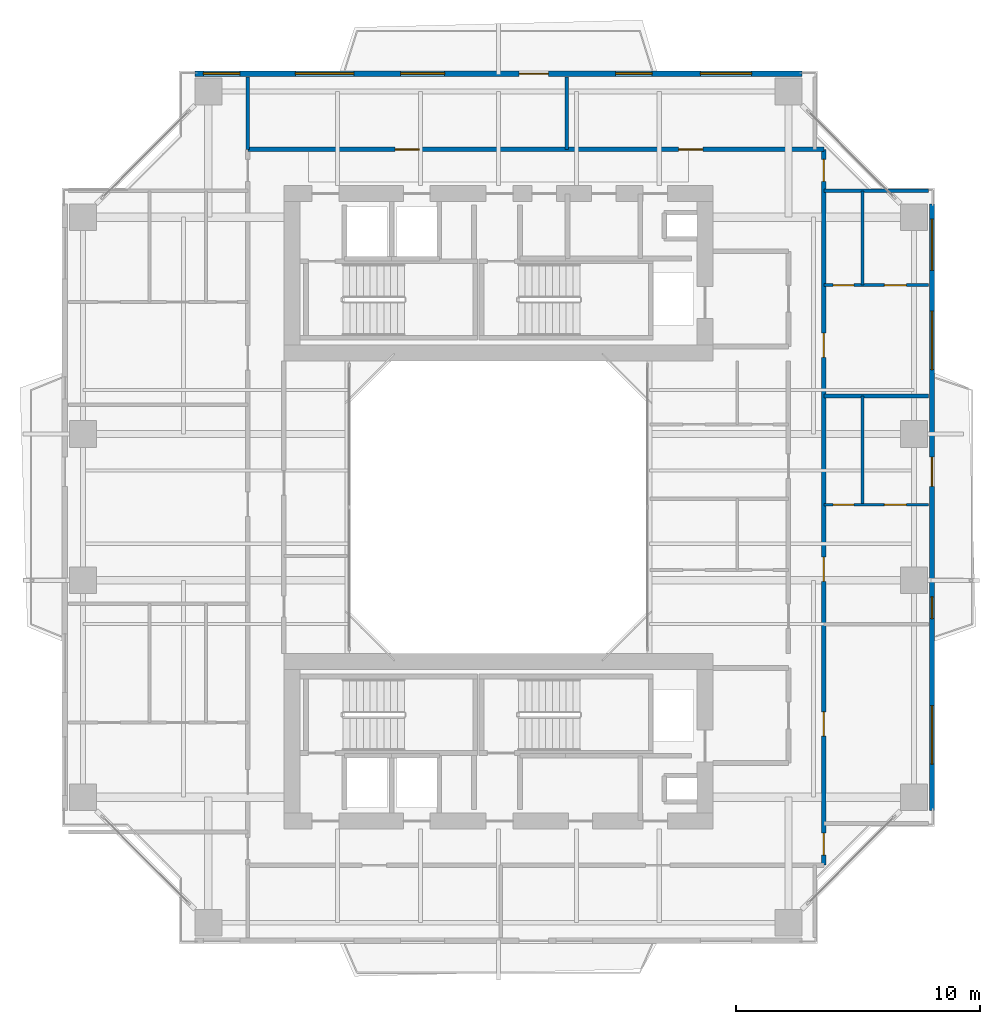
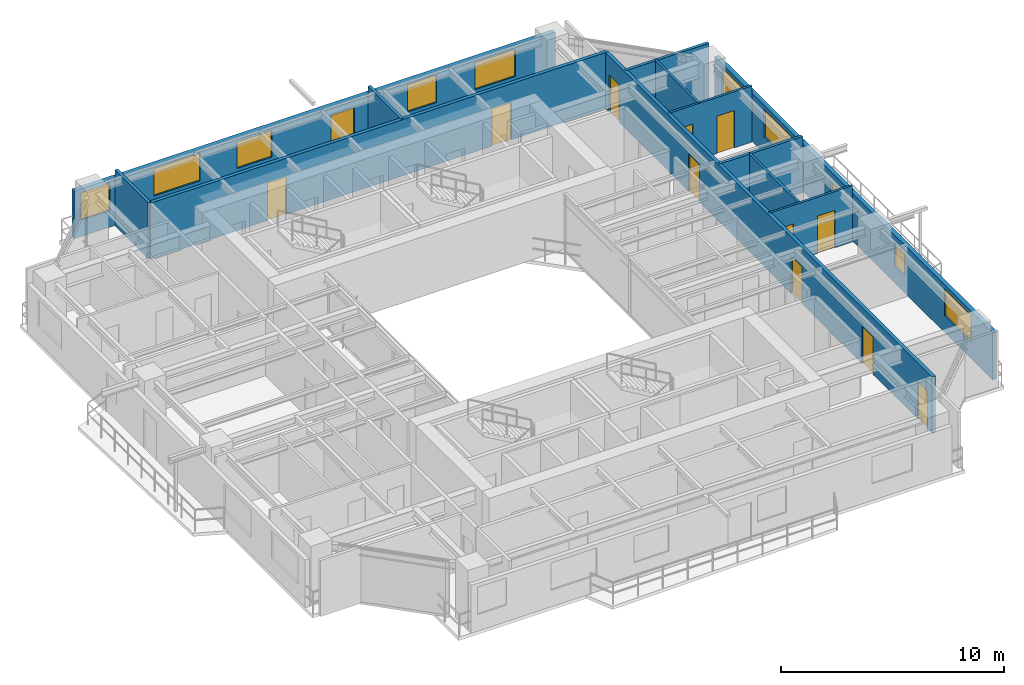
# One storey, part 13 of 17: 13 doors, 12 walls, 9 windows, 22 openings.
"""IFC4 building model written with IfcOpenShell, lengths in metres."""

from ifc_helpers import new_model, si_unit, direction, frame, frame_2d, origin, place, context, subcontext, project, spatial, rectangle, extrude, source, transform, mapped, material, layer, layer_set, type_object, element, fill, save


model = new_model("IFC4")

# Units and contexts
model_context = context("Model", 3, precision=1e-05, world=origin(), true_north=direction((0.0, 1.0)))
body_context = subcontext(model_context, "Body", "Model", "MODEL_VIEW")
ifc_project = project(units=[si_unit("LENGTHUNIT", "METRE"), si_unit("AREAUNIT", "SQUARE_METRE"), si_unit("VOLUMEUNIT", "CUBIC_METRE"), si_unit("PLANEANGLEUNIT", "RADIAN"), si_unit("MASSUNIT", "GRAM", prefix="KILO"), si_unit("THERMODYNAMICTEMPERATUREUNIT", "KELVIN"), si_unit("POWERUNIT", "WATT")], contexts=[model_context])

# Site, building, storey
site_placement = place(None, origin())
site = spatial("IfcSite", under=ifc_project, at=site_placement, CompositionType="ELEMENT")
building_placement = place(site_placement, origin())
building = spatial("IfcBuilding", under=site, at=building_placement, Name="Qiaomeng Ring Towers", CompositionType="ELEMENT")
storey_placement = place(building_placement, frame((0.0, 0.0, 126.25)))
storey = spatial("IfcBuildingStorey", under=building, at=storey_placement, Name="L36", CompositionType="ELEMENT", Elevation=126.25)

# Wall, openings, windows, door
ifc_material_1 = material(Name="Precast concrete C40", Category="concrete")
ifc_layer_1 = layer(ifc_material_1, 0.219970703125, Name="Precast concrete C40")
ifc_layer_set_1 = layer_set([ifc_layer_1], Name="Precast concrete C40")
wall_type_1 = type_object("IfcWallType", Name="ARC-WL-EW2", PredefinedType="STANDARD", material=ifc_layer_set_1)
wall_1_placement = place(storey_placement, frame((6.550048828125, 40.7900390625, 0.0), z_axis=(0.0, 0.0, 1.0), x_axis=(1.0, 0.0, 0.0)))
wall_1 = element("IfcWall", 1, at=wall_1_placement, inside=storey, type_object=wall_type_1, Name="L36 Tower 1 N Exterior Wall", PredefinedType="STANDARD", context=body_context, shape_type="SweptSolid", body=[
    extrude(rectangle(XDim=24.89990234375, YDim=0.219970703125, at=frame_2d((12.449951171875, 0.0))), origin(), (0.0, 0.0, 1.0), 2.610107421875),
])
opening_1_placement = place(wall_1_placement, frame((13.300048828125, 0.0, 0.0)))
opening_1 = element("IfcOpeningElement", 2, at=opening_1_placement, cuts=wall_1, Name="Opening BD1", PredefinedType="OPENING", context=body_context, shape_type="SweptSolid", body=[
    extrude(rectangle(XDim=1.199951171875, YDim=2.10009765625, at=frame_2d((0.60009765625, 1.050048828125))), frame((0.0, 0.119873046875, 0.0), z_axis=(0.0, -1.0, 0.0), x_axis=(1.0, 0.0, 0.0)), (0.0, 0.0, 1.0), 0.239990234375),
])
opening_2_placement = place(wall_1_placement, frame((0.342529296875, 0.0, 0.89990234375)))
opening_2 = element("IfcOpeningElement", 3, at=opening_2_placement, cuts=wall_1, Name="Opening WN2", PredefinedType="OPENING", context=body_context, shape_type="SweptSolid", body=[
    extrude(rectangle(XDim=1.5, YDim=1.5, at=frame_2d((0.75, 0.75))), frame((0.0, 0.119873046875, 0.0), z_axis=(0.0, -1.0, 0.0), x_axis=(1.0, 0.0, 0.0)), (0.0, 0.0, 1.0), 0.239990234375),
])
opening_3_placement = place(wall_1_placement, frame((8.43798828125, 0.0, 0.89990234375)))
opening_3 = element("IfcOpeningElement", 4, at=opening_3_placement, cuts=wall_1, Name="Opening WN1", PredefinedType="OPENING", context=body_context, shape_type="SweptSolid", body=[
    extrude(rectangle(XDim=1.800048828125, YDim=1.449951171875, at=frame_2d((0.89990234375, 0.72509765625))), frame((0.0, 0.119873046875, 0.0), z_axis=(0.0, -1.0, 0.0), x_axis=(1.0, 0.0, 0.0)), (0.0, 0.0, 1.0), 0.239990234375),
])
opening_4_placement = place(wall_1_placement, frame((17.261474609375, 0.0, 0.89990234375)))
opening_4 = element("IfcOpeningElement", 5, at=opening_4_placement, cuts=wall_1, Name="Opening WN2", PredefinedType="OPENING", context=body_context, shape_type="SweptSolid", body=[
    extrude(rectangle(XDim=1.5, YDim=1.5, at=frame_2d((0.75, 0.75))), frame((0.0, 0.119873046875, 0.0), z_axis=(0.0, -1.0, 0.0), x_axis=(1.0, 0.0, 0.0)), (0.0, 0.0, 1.0), 0.239990234375),
])
opening_5_placement = place(wall_1_placement, frame((20.738037109375, 0.0, 0.89990234375)))
opening_5 = element("IfcOpeningElement", 6, at=opening_5_placement, cuts=wall_1, Name="Opening WN4", PredefinedType="OPENING", context=body_context, shape_type="SweptSolid", body=[
    extrude(rectangle(XDim=2.10009765625, YDim=1.47998046875, at=frame_2d((1.050048828125, 0.739990234375))), frame((0.0, 0.119873046875, 0.0), z_axis=(0.0, -1.0, 0.0), x_axis=(1.0, 0.0, 0.0)), (0.0, 0.0, 1.0), 0.239990234375),
])
opening_6_placement = place(wall_1_placement, frame((4.12158203125, 0.0, 0.89990234375)))
opening_6 = element("IfcOpeningElement", 7, at=opening_6_placement, cuts=wall_1, Name="Opening WN6", PredefinedType="OPENING", context=body_context, shape_type="SweptSolid", body=[
    extrude(rectangle(XDim=2.39990234375, YDim=1.5, at=frame_2d((1.199951171875, 0.75))), frame((0.0, 0.119873046875, 0.0), z_axis=(0.0, -1.0, 0.0), x_axis=(1.0, 0.0, 0.0)), (0.0, 0.0, 1.0), 0.239990234375),
])
ifc_material_2 = material(Name="Low-E dark-grey laminated double glazing", Category="glass")
window_type_1 = type_object("IfcWindowType", Name="ARC-WN-4", PartitioningType="TRIPLE_PANEL_VERTICAL", PredefinedType="WINDOW", material=ifc_material_2)
shared_shape_1 = source(origin(), body_context, "Body", "SweptSolid", [
    extrude(rectangle(XDim=2.10009765625, YDim=1.47998046875, at=frame_2d((1.050048828125, 0.739990234375))), frame((0.0, 0.030029296875, 0.0), z_axis=(0.0, -1.0, 0.0), x_axis=(1.0, 0.0, 0.0)), (0.0, 0.0, 1.0), 0.06005859375),
])
window_1_placement = place(opening_5_placement, origin())
window_1 = element("IfcWindow", 8, at=window_1_placement, inside=storey, type_object=window_type_1, Name="L36 Exterior Window WN4", OverallHeight=1.47998046875, OverallWidth=2.10009765625, PartitioningType="TRIPLE_PANEL_VERTICAL", PredefinedType="WINDOW", context=body_context, shape_type="MappedRepresentation", body=[
    mapped(shared_shape_1, transform((0.0, 0.0, 0.0), x_axis=(1.0, 0.0, 0.0), y_axis=(0.0, 1.0, 0.0), z_axis=(0.0, 0.0, 1.0), scale=1.0)),
])
fill(opening_5, window_1)
window_type_2 = type_object("IfcWindowType", Name="ARC-WN-1", PartitioningType="DOUBLE_PANEL_VERTICAL", PredefinedType="WINDOW", material=ifc_material_2)
shared_shape_2 = source(origin(), body_context, "Body", "SweptSolid", [
    extrude(rectangle(XDim=1.800048828125, YDim=1.449951171875, at=frame_2d((0.89990234375, 0.72509765625))), frame((0.0, 0.030029296875, 0.0), z_axis=(0.0, -1.0, 0.0), x_axis=(1.0, 0.0, 0.0)), (0.0, 0.0, 1.0), 0.06005859375),
])
window_2_placement = place(opening_3_placement, origin())
window_2 = element("IfcWindow", 9, at=window_2_placement, inside=storey, type_object=window_type_2, Name="L36 Exterior Window WN1", OverallHeight=1.449951171875, OverallWidth=1.800048828125, PartitioningType="DOUBLE_PANEL_VERTICAL", PredefinedType="WINDOW", context=body_context, shape_type="MappedRepresentation", body=[
    mapped(shared_shape_2, transform((0.0, 0.0, 0.0), x_axis=(1.0, 0.0, 0.0), y_axis=(0.0, 1.0, 0.0), z_axis=(0.0, 0.0, 1.0), scale=1.0)),
])
fill(opening_3, window_2)
door_type_1 = type_object("IfcDoorType", Name="ARC-DR-BD1", OperationType="NOTDEFINED", PredefinedType="DOOR", material=ifc_material_2)
shared_shape_3 = source(origin(), body_context, "Body", "SweptSolid", [
    extrude(rectangle(XDim=1.199951171875, YDim=2.10009765625, at=frame_2d((0.60009765625, 1.050048828125))), frame((0.0, 0.02490234375, 0.0), z_axis=(0.0, -1.0, 0.0), x_axis=(1.0, 0.0, 0.0)), (0.0, 0.0, 1.0), 0.050048828125),
])
door_1_placement = place(opening_1_placement, origin())
door_1 = element("IfcDoor", 10, at=door_1_placement, inside=storey, type_object=door_type_1, Name="L36 N Balcony Glazed Door", OperationType="SINGLE_SWING_LEFT", OverallHeight=2.10009765625, OverallWidth=1.199951171875, PredefinedType="DOOR", context=body_context, shape_type="MappedRepresentation", body=[
    mapped(shared_shape_3, transform((0.0, 0.0, 0.0), x_axis=(1.0, 0.0, 0.0), y_axis=(0.0, 1.0, 0.0), z_axis=(0.0, 0.0, 1.0), scale=1.0)),
])
fill(opening_1, door_1)
window_type_3 = type_object("IfcWindowType", Name="ARC-WN-2", PartitioningType="DOUBLE_PANEL_VERTICAL", PredefinedType="WINDOW", material=ifc_material_2)
shared_shape_4 = source(origin(), body_context, "Body", "SweptSolid", [
    extrude(rectangle(XDim=1.5, YDim=1.5, at=frame_2d((0.75, 0.75))), frame((0.0, 0.030029296875, 0.0), z_axis=(0.0, -1.0, 0.0), x_axis=(1.0, 0.0, 0.0)), (0.0, 0.0, 1.0), 0.06005859375),
])
window_3_placement = place(opening_2_placement, origin())
window_3 = element("IfcWindow", 11, at=window_3_placement, inside=storey, type_object=window_type_3, Name="L36 Exterior Window WN6", OverallHeight=1.5, OverallWidth=1.5, PartitioningType="TRIPLE_PANEL_VERTICAL", PredefinedType="WINDOW", context=body_context, shape_type="MappedRepresentation", body=[
    mapped(shared_shape_4, transform((0.0, 0.0, 0.0), x_axis=(1.0, 0.0, 0.0), y_axis=(0.0, 1.0, 0.0), z_axis=(0.0, 0.0, 1.0), scale=1.0)),
])
fill(opening_2, window_3)
window_4_placement = place(opening_4_placement, origin())
window_4 = element("IfcWindow", 12, at=window_4_placement, inside=storey, type_object=window_type_3, Name="L36 Exterior Window WN2", OverallHeight=1.5, OverallWidth=1.5, PartitioningType="DOUBLE_PANEL_VERTICAL", PredefinedType="WINDOW", context=body_context, shape_type="MappedRepresentation", body=[
    mapped(shared_shape_4, transform((0.0, 0.0, 0.0), x_axis=(1.0, 0.0, 0.0), y_axis=(0.0, 1.0, 0.0), z_axis=(0.0, 0.0, 1.0), scale=1.0)),
])
fill(opening_4, window_4)
window_type_4 = type_object("IfcWindowType", Name="ARC-WN-6", PartitioningType="TRIPLE_PANEL_VERTICAL", PredefinedType="WINDOW", material=ifc_material_2)
shared_shape_5 = source(origin(), body_context, "Body", "SweptSolid", [
    extrude(rectangle(XDim=2.39990234375, YDim=1.5, at=frame_2d((1.199951171875, 0.75))), frame((0.0, 0.030029296875, 0.0), z_axis=(0.0, -1.0, 0.0), x_axis=(1.0, 0.0, 0.0)), (0.0, 0.0, 1.0), 0.06005859375),
])
window_5_placement = place(opening_6_placement, origin())
window_5 = element("IfcWindow", 13, at=window_5_placement, inside=storey, type_object=window_type_4, Name="L36 Exterior Window WN6", OverallHeight=1.5, OverallWidth=2.39990234375, PartitioningType="TRIPLE_PANEL_VERTICAL", PredefinedType="WINDOW", context=body_context, shape_type="MappedRepresentation", body=[
    mapped(shared_shape_5, transform((0.0, 0.0, 0.0), x_axis=(1.0, 0.0, 0.0), y_axis=(0.0, 1.0, 0.0), z_axis=(0.0, 0.0, 1.0), scale=1.0)),
])
fill(opening_6, window_5)

wall_2_placement = place(storey_placement, frame((36.7900390625, 10.550048828125, 0.0), z_axis=(0.0, 0.0, 1.0), x_axis=(0.0, 1.0, 0.0)))
wall_2 = element("IfcWall", 14, at=wall_2_placement, inside=storey, type_object=wall_type_1, Name="L36 Tower 1 E Exterior Wall", PredefinedType="STANDARD", context=body_context, shape_type="SweptSolid", body=[
    extrude(rectangle(XDim=24.89990234375, YDim=0.219970703125, at=frame_2d((12.449951171875, 0.0))), origin(), (0.0, 0.0, 1.0), 2.610107421875),
])
opening_7_placement = place(wall_2_placement, frame((13.300048828125, 0.0, 0.0)))
opening_7 = element("IfcOpeningElement", 15, at=opening_7_placement, cuts=wall_2, Name="Opening BD1", PredefinedType="OPENING", context=body_context, shape_type="SweptSolid", body=[
    extrude(rectangle(XDim=1.199951171875, YDim=2.10009765625, at=frame_2d((0.60009765625, 1.050048828125))), frame((0.0, 0.119873046875, 0.0), z_axis=(0.0, -1.0, 0.0), x_axis=(1.0, 0.0, 0.0)), (0.0, 0.0, 1.0), 0.239990234375),
])
opening_8_placement = place(wall_2_placement, frame((1.912109375, 0.0, 0.89990234375)))
opening_8 = element("IfcOpeningElement", 16, at=opening_8_placement, cuts=wall_2, Name="Opening WN6", PredefinedType="OPENING", context=body_context, shape_type="SweptSolid", body=[
    extrude(rectangle(XDim=2.39990234375, YDim=1.47998046875, at=frame_2d((1.199951171875, 0.739990234375))), frame((0.0, 0.119873046875, 0.0), z_axis=(0.0, -1.0, 0.0), x_axis=(1.0, 0.0, 0.0)), (0.0, 0.0, 1.0), 0.239990234375),
])
opening_9_placement = place(wall_2_placement, frame((22.1650390625, 0.0, 0.89990234375)))
opening_9 = element("IfcOpeningElement", 17, at=opening_9_placement, cuts=wall_2, Name="Opening WN4", PredefinedType="OPENING", context=body_context, shape_type="SweptSolid", body=[
    extrude(rectangle(XDim=2.10009765625, YDim=1.5, at=frame_2d((1.050048828125, 0.75))), frame((0.0, 0.119873046875, 0.0), z_axis=(0.0, -1.0, 0.0), x_axis=(1.0, 0.0, 0.0)), (0.0, 0.0, 1.0), 0.239990234375),
])
opening_10_placement = place(wall_2_placement, frame((18.092529296875, 0.0, 0.89990234375)))
opening_10 = element("IfcOpeningElement", 18, at=opening_10_placement, cuts=wall_2, Name="Opening WN6", PredefinedType="OPENING", context=body_context, shape_type="SweptSolid", body=[
    extrude(rectangle(XDim=2.39990234375, YDim=1.5, at=frame_2d((1.199951171875, 0.75))), frame((0.0, 0.119873046875, 0.0), z_axis=(0.0, -1.0, 0.0), x_axis=(1.0, 0.0, 0.0)), (0.0, 0.0, 1.0), 0.239990234375),
])
opening_11_placement = place(wall_2_placement, frame((7.875, 0.0, 0.89990234375)))
opening_11 = element("IfcOpeningElement", 19, at=opening_11_placement, cuts=wall_2, Name="Opening WN5", PredefinedType="OPENING", context=body_context, shape_type="SweptSolid", body=[
    extrude(rectangle(XDim=0.89990234375, YDim=1.199951171875, at=frame_2d((0.449951171875, 0.60009765625))), frame((0.0, 0.119873046875, 0.0), z_axis=(0.0, -1.0, 0.0), x_axis=(1.0, 0.0, 0.0)), (0.0, 0.0, 1.0), 0.239990234375),
])
shared_shape_6 = source(origin(), body_context, "Body", "SweptSolid", [
    extrude(rectangle(XDim=2.10009765625, YDim=1.5, at=frame_2d((1.050048828125, 0.75))), frame((0.0, 0.030029296875, 0.0), z_axis=(0.0, -1.0, 0.0), x_axis=(1.0, 0.0, 0.0)), (0.0, 0.0, 1.0), 0.06005859375),
])
window_6_placement = place(opening_9_placement, origin())
window_6 = element("IfcWindow", 20, at=window_6_placement, inside=storey, type_object=window_type_1, Name="L36 Exterior Window WN4", OverallHeight=1.5, OverallWidth=2.10009765625, PartitioningType="TRIPLE_PANEL_VERTICAL", PredefinedType="WINDOW", context=body_context, shape_type="MappedRepresentation", body=[
    mapped(shared_shape_6, transform((0.0, 0.0, 0.0), x_axis=(1.0, 0.0, 0.0), y_axis=(0.0, 1.0, 0.0), z_axis=(0.0, 0.0, 1.0), scale=1.0)),
])
fill(opening_9, window_6)
shared_shape_7 = source(origin(), body_context, "Body", "SweptSolid", [
    extrude(rectangle(XDim=2.39990234375, YDim=1.47998046875, at=frame_2d((1.199951171875, 0.739990234375))), frame((0.0, 0.030029296875, 0.0), z_axis=(0.0, -1.0, 0.0), x_axis=(1.0, 0.0, 0.0)), (0.0, 0.0, 1.0), 0.06005859375),
])
window_7_placement = place(opening_8_placement, origin())
window_7 = element("IfcWindow", 21, at=window_7_placement, inside=storey, type_object=window_type_4, Name="L36 Exterior Window WN6", OverallHeight=1.47998046875, OverallWidth=2.39990234375, PartitioningType="TRIPLE_PANEL_VERTICAL", PredefinedType="WINDOW", context=body_context, shape_type="MappedRepresentation", body=[
    mapped(shared_shape_7, transform((0.0, 0.0, 0.0), x_axis=(1.0, 0.0, 0.0), y_axis=(0.0, 1.0, 0.0), z_axis=(0.0, 0.0, 1.0), scale=1.0)),
])
fill(opening_8, window_7)
door_2_placement = place(opening_7_placement, origin())
door_2 = element("IfcDoor", 22, at=door_2_placement, inside=storey, type_object=door_type_1, Name="L36 E Balcony Glazed Door", OperationType="SINGLE_SWING_LEFT", OverallHeight=2.10009765625, OverallWidth=1.199951171875, PredefinedType="DOOR", context=body_context, shape_type="MappedRepresentation", body=[
    mapped(shared_shape_3, transform((0.0, 0.0, 0.0), x_axis=(1.0, 0.0, 0.0), y_axis=(0.0, 1.0, 0.0), z_axis=(0.0, 0.0, 1.0), scale=1.0)),
])
fill(opening_7, door_2)
window_8_placement = place(opening_10_placement, origin())
window_8 = element("IfcWindow", 23, at=window_8_placement, inside=storey, type_object=window_type_4, Name="L36 Exterior Window WN6", OverallHeight=1.5, OverallWidth=2.39990234375, PartitioningType="TRIPLE_PANEL_VERTICAL", PredefinedType="WINDOW", context=body_context, shape_type="MappedRepresentation", body=[
    mapped(shared_shape_5, transform((0.0, 0.0, 0.0), x_axis=(1.0, 0.0, 0.0), y_axis=(0.0, 1.0, 0.0), z_axis=(0.0, 0.0, 1.0), scale=1.0)),
])
fill(opening_10, window_8)
window_type_5 = type_object("IfcWindowType", Name="ARC-WN-5", PartitioningType="SINGLE_PANEL", PredefinedType="WINDOW", material=ifc_material_2)
shared_shape_8 = source(origin(), body_context, "Body", "SweptSolid", [
    extrude(rectangle(XDim=0.89990234375, YDim=1.199951171875, at=frame_2d((0.449951171875, 0.60009765625))), frame((0.0, 0.030029296875, 0.0), z_axis=(0.0, -1.0, 0.0), x_axis=(1.0, 0.0, 0.0)), (0.0, 0.0, 1.0), 0.06005859375),
])
window_9_placement = place(opening_11_placement, origin())
window_9 = element("IfcWindow", 24, at=window_9_placement, inside=storey, type_object=window_type_5, Name="L36 Exterior Window WN5", OverallHeight=1.199951171875, OverallWidth=0.89990234375, PartitioningType="SINGLE_PANEL", PredefinedType="WINDOW", context=body_context, shape_type="MappedRepresentation", body=[
    mapped(shared_shape_8, transform((0.0, 0.0, 0.0), x_axis=(1.0, 0.0, 0.0), y_axis=(0.0, 1.0, 0.0), z_axis=(0.0, 0.0, 1.0), scale=1.0)),
])
fill(opening_11, window_9)

# Wall, openings, doors
ifc_material_3 = material(Name="Autoclaved aerated concrete block", Category="concrete")
ifc_layer_2 = layer(ifc_material_3, 0.179931640625, Name="Autoclaved aerated concrete block")
ifc_layer_set_2 = layer_set([ifc_layer_2], Name="Autoclaved aerated concrete block")
wall_type_2 = type_object("IfcWallType", Name="ARC-WL-PW2", PredefinedType="PARTITIONING", material=ifc_layer_set_2)
wall_3_placement = place(storey_placement, frame((8.719970703125, 37.679931640625, 0.0), z_axis=(0.0, 0.0, 1.0), x_axis=(1.0, 0.0, 0.0)))
wall_3 = element("IfcWall", 25, at=wall_3_placement, inside=storey, type_object=wall_type_2, Name="L36 Interior Wall PW2", PredefinedType="PARTITIONING", context=body_context, shape_type="SweptSolid", body=[
    extrude(rectangle(XDim=23.630126953125, YDim=0.179931640625, at=frame_2d((11.81494140625, 0.0))), origin(), (0.0, 0.0, 1.0), 3.070068359375),
])
opening_12_placement = place(wall_3_placement, frame((6.0400390625, 0.0, 0.0)))
opening_12 = element("IfcOpeningElement", 26, at=opening_12_placement, cuts=wall_3, Name="Opening FD4", PredefinedType="OPENING", context=body_context, shape_type="SweptSolid", body=[
    extrude(rectangle(XDim=1.0, YDim=2.050048828125, at=frame_2d((0.5, 1.02490234375))), frame((0.0, 0.099853515625, 0.0), z_axis=(0.0, -1.0, 0.0), x_axis=(1.0, 0.0, 0.0)), (0.0, 0.0, 1.0), 0.199951171875),
])
opening_13_placement = place(wall_3_placement, frame((17.669921875, 0.0, 0.0)))
opening_13 = element("IfcOpeningElement", 27, at=opening_13_placement, cuts=wall_3, Name="Opening FD4", PredefinedType="OPENING", context=body_context, shape_type="SweptSolid", body=[
    extrude(rectangle(XDim=1.0, YDim=2.050048828125, at=frame_2d((0.5, 1.02490234375))), frame((0.0, 0.099853515625, 0.0), z_axis=(0.0, -1.0, 0.0), x_axis=(1.0, 0.0, 0.0)), (0.0, 0.0, 1.0), 0.199951171875),
])
ifc_material_4 = material(Name="Engineered fire-rated oak timber", Category="wood")
door_type_2 = type_object("IfcDoorType", Name="ARC-DR-FD4", OperationType="NOTDEFINED", PredefinedType="DOOR", material=ifc_material_4)
shared_shape_9 = source(origin(), body_context, "Body", "SweptSolid", [
    extrude(rectangle(XDim=1.0, YDim=2.050048828125, at=frame_2d((0.5, 1.02490234375))), frame((0.0, 0.02490234375, 0.0), z_axis=(0.0, -1.0, 0.0), x_axis=(1.0, 0.0, 0.0)), (0.0, 0.0, 1.0), 0.050048828125),
])
door_3_placement = place(opening_12_placement, origin())
door_3 = element("IfcDoor", 28, at=door_3_placement, inside=storey, type_object=door_type_2, Name="L36 Door FD4", OperationType="SINGLE_SWING_LEFT", OverallHeight=2.050048828125, OverallWidth=1.0, PredefinedType="DOOR", context=body_context, shape_type="MappedRepresentation", body=[
    mapped(shared_shape_9, transform((0.0, 0.0, 0.0), x_axis=(1.0, 0.0, 0.0), y_axis=(0.0, 1.0, 0.0), z_axis=(0.0, 0.0, 1.0), scale=1.0)),
])
fill(opening_12, door_3)
door_4_placement = place(opening_13_placement, origin())
door_4 = element("IfcDoor", 29, at=door_4_placement, inside=storey, type_object=door_type_2, Name="L36 Door FD4", OperationType="SINGLE_SWING_RIGHT", OverallHeight=2.050048828125, OverallWidth=1.0, PredefinedType="DOOR", context=body_context, shape_type="MappedRepresentation", body=[
    mapped(shared_shape_9, transform((0.0, 0.0, 0.0), x_axis=(1.0, 0.0, 0.0), y_axis=(0.0, 1.0, 0.0), z_axis=(0.0, 0.0, 1.0), scale=1.0)),
])
fill(opening_13, door_4)

wall_4_placement = place(storey_placement, frame((32.35009765625, 8.31005859375, 0.0), z_axis=(0.0, 0.0, 1.0), x_axis=(0.0, 1.0, 0.0)))
wall_4 = element("IfcWall", 30, at=wall_4_placement, inside=storey, type_object=wall_type_2, Name="L36 Interior Wall PW2", PredefinedType="PARTITIONING", context=body_context, shape_type="SweptSolid", body=[
    extrude(rectangle(XDim=29.369873046875, YDim=0.179931640625, at=frame_2d((14.68505859375, 0.0))), origin(), (0.0, 0.0, 1.0), 3.070068359375),
])
opening_14_placement = place(wall_4_placement, frame((28.06005859375, 0.0, 0.0)))
opening_14 = element("IfcOpeningElement", 31, at=opening_14_placement, cuts=wall_4, Name="Opening ID1", PredefinedType="OPENING", context=body_context, shape_type="SweptSolid", body=[
    extrude(rectangle(XDim=0.89990234375, YDim=2.050048828125, at=frame_2d((0.449951171875, 1.02490234375))), frame((0.0, 0.099853515625, 0.0), z_axis=(0.0, -1.0, 0.0), x_axis=(1.0, 0.0, 0.0)), (0.0, 0.0, 1.0), 0.199951171875),
])
opening_15_placement = place(wall_4_placement, frame((0.4150390625, 0.0, 0.0)))
opening_15 = element("IfcOpeningElement", 32, at=opening_15_placement, cuts=wall_4, Name="Opening ID1", PredefinedType="OPENING", context=body_context, shape_type="SweptSolid", body=[
    extrude(rectangle(XDim=0.89990234375, YDim=2.050048828125, at=frame_2d((0.449951171875, 1.02490234375))), frame((0.0, 0.099853515625, 0.0), z_axis=(0.0, -1.0, 0.0), x_axis=(1.0, 0.0, 0.0)), (0.0, 0.0, 1.0), 0.199951171875),
])
opening_16_placement = place(wall_4_placement, frame((5.294921875, 0.0, 0.0)))
opening_16 = element("IfcOpeningElement", 33, at=opening_16_placement, cuts=wall_4, Name="Opening FD4", PredefinedType="OPENING", context=body_context, shape_type="SweptSolid", body=[
    extrude(rectangle(XDim=1.0, YDim=2.050048828125, at=frame_2d((0.5, 1.02490234375))), frame((0.0, 0.099853515625, 0.0), z_axis=(0.0, -1.0, 0.0), x_axis=(1.0, 0.0, 0.0)), (0.0, 0.0, 1.0), 0.199951171875),
])
opening_17_placement = place(wall_4_placement, frame((11.64501953125, 0.0, 0.0)))
opening_17 = element("IfcOpeningElement", 34, at=opening_17_placement, cuts=wall_4, Name="Opening FD4", PredefinedType="OPENING", context=body_context, shape_type="SweptSolid", body=[
    extrude(rectangle(XDim=1.0, YDim=2.050048828125, at=frame_2d((0.5, 1.02490234375))), frame((0.0, 0.099853515625, 0.0), z_axis=(0.0, -1.0, 0.0), x_axis=(1.0, 0.0, 0.0)), (0.0, 0.0, 1.0), 0.199951171875),
])
opening_18_placement = place(wall_4_placement, frame((20.8349609375, 0.0, 0.0)))
opening_18 = element("IfcOpeningElement", 35, at=opening_18_placement, cuts=wall_4, Name="Opening FD4", PredefinedType="OPENING", context=body_context, shape_type="SweptSolid", body=[
    extrude(rectangle(XDim=1.0, YDim=2.050048828125, at=frame_2d((0.5, 1.02490234375))), frame((0.0, 0.099853515625, 0.0), z_axis=(0.0, -1.0, 0.0), x_axis=(1.0, 0.0, 0.0)), (0.0, 0.0, 1.0), 0.199951171875),
])
door_5_placement = place(opening_16_placement, origin())
door_5 = element("IfcDoor", 36, at=door_5_placement, inside=storey, type_object=door_type_2, Name="L36 Door FD4", OperationType="SINGLE_SWING_RIGHT", OverallHeight=2.050048828125, OverallWidth=1.0, PredefinedType="DOOR", context=body_context, shape_type="MappedRepresentation", body=[
    mapped(shared_shape_9, transform((0.0, 0.0, 0.0), x_axis=(1.0, 0.0, 0.0), y_axis=(0.0, 1.0, 0.0), z_axis=(0.0, 0.0, 1.0), scale=1.0)),
])
fill(opening_16, door_5)
door_6_placement = place(opening_17_placement, origin())
door_6 = element("IfcDoor", 37, at=door_6_placement, inside=storey, type_object=door_type_2, Name="L36 Door FD4", OperationType="SINGLE_SWING_LEFT", OverallHeight=2.050048828125, OverallWidth=1.0, PredefinedType="DOOR", context=body_context, shape_type="MappedRepresentation", body=[
    mapped(shared_shape_9, transform((0.0, 0.0, 0.0), x_axis=(1.0, 0.0, 0.0), y_axis=(0.0, 1.0, 0.0), z_axis=(0.0, 0.0, 1.0), scale=1.0)),
])
fill(opening_17, door_6)
door_7_placement = place(opening_18_placement, origin())
door_7 = element("IfcDoor", 38, at=door_7_placement, inside=storey, type_object=door_type_2, Name="L36 Door FD4", OperationType="SINGLE_SWING_RIGHT", OverallHeight=2.050048828125, OverallWidth=1.0, PredefinedType="DOOR", context=body_context, shape_type="MappedRepresentation", body=[
    mapped(shared_shape_9, transform((0.0, 0.0, 0.0), x_axis=(1.0, 0.0, 0.0), y_axis=(0.0, 1.0, 0.0), z_axis=(0.0, 0.0, 1.0), scale=1.0)),
])
fill(opening_18, door_7)
ifc_material_5 = material(Name="Engineered oak timber", Category="wood")
door_type_3 = type_object("IfcDoorType", Name="ARC-DR-ID1", OperationType="NOTDEFINED", PredefinedType="DOOR", material=ifc_material_5)
shared_shape_10 = source(origin(), body_context, "Body", "SweptSolid", [
    extrude(rectangle(XDim=0.89990234375, YDim=2.050048828125, at=frame_2d((0.449951171875, 1.02490234375))), frame((0.0, 0.02490234375, 0.0), z_axis=(0.0, -1.0, 0.0), x_axis=(1.0, 0.0, 0.0)), (0.0, 0.0, 1.0), 0.050048828125),
])
door_8_placement = place(opening_14_placement, origin())
door_8 = element("IfcDoor", 39, at=door_8_placement, inside=storey, type_object=door_type_3, Name="L36 Door ID1", OperationType="SINGLE_SWING_RIGHT", OverallHeight=2.050048828125, OverallWidth=0.89990234375, PredefinedType="DOOR", context=body_context, shape_type="MappedRepresentation", body=[
    mapped(shared_shape_10, transform((0.0, 0.0, 0.0), x_axis=(1.0, 0.0, 0.0), y_axis=(0.0, 1.0, 0.0), z_axis=(0.0, 0.0, 1.0), scale=1.0)),
])
fill(opening_14, door_8)
door_9_placement = place(opening_15_placement, origin())
door_9 = element("IfcDoor", 40, at=door_9_placement, inside=storey, type_object=door_type_3, Name="L36 Door ID1", OperationType="SINGLE_SWING_LEFT", OverallHeight=2.050048828125, OverallWidth=0.89990234375, PredefinedType="DOOR", context=body_context, shape_type="MappedRepresentation", body=[
    mapped(shared_shape_10, transform((0.0, 0.0, 0.0), x_axis=(1.0, 0.0, 0.0), y_axis=(0.0, 1.0, 0.0), z_axis=(0.0, 0.0, 1.0), scale=1.0)),
])
fill(opening_15, door_9)

# Walls
ifc_material_6 = material(Name="Gypsum fireboard steel-stud partition", Category="steel")
ifc_layer_3 = layer(ifc_material_6, 0.14990234375, Name="Gypsum fireboard steel-stud partition")
ifc_layer_set_3 = layer_set([ifc_layer_3], Name="Gypsum fireboard steel-stud partition")
wall_type_3 = type_object("IfcWallType", Name="ARC-WL-PW3", PredefinedType="PARTITIONING", material=ifc_layer_set_3)
for number, where, z_axis, x_axis, name in (
    (41, (21.800048828125, 37.679931640625, 0.0), (0.0, 0.0, 1.0), (0.0, 1.0, 0.0), "L36 Interior Wall PW3"),
    (42, (8.719970703125, 37.679931640625, 0.0), (0.0, 0.0, 1.0), (0.0, 1.0, 0.0), "L36 Interior Wall PW3"),
):
    element("IfcWall", number, at=place(storey_placement, frame(where, z_axis=z_axis, x_axis=x_axis)), inside=storey, type_object=wall_type_3, Name=name, PredefinedType="PARTITIONING", context=body_context, shape_type="SweptSolid", body=[
        extrude(rectangle(XDim=2.969970703125, YDim=0.14990234375, at=frame_2d((1.48486328125, 0.0))), origin(), (0.0, 0.0, 1.0), 3.070068359375),
    ])
for number, where, z_axis, x_axis, name in (
    (43, (32.35009765625, 35.97998046875, 0.0), (0.0, 0.0, 1.0), (1.0, 0.0, 0.0), "L36 Interior Wall PW3"),
    (44, (32.35009765625, 27.56005859375, 0.0), (0.0, 0.0, 1.0), (1.0, 0.0, 0.0), "L36 Interior Wall PW3"),
):
    element("IfcWall", number, at=place(storey_placement, frame(where, z_axis=z_axis, x_axis=x_axis)), inside=storey, type_object=wall_type_3, Name=name, PredefinedType="PARTITIONING", context=body_context, shape_type="SweptSolid", body=[
        extrude(rectangle(XDim=4.2998046875, YDim=0.14990234375, at=frame_2d((2.14990234375, 0.0))), origin(), (0.0, 0.0, 1.0), 3.070068359375),
    ])

# Wall, openings, doors
ifc_material_7 = material(Name="Moisture-resistant gypsum steel-stud partition", Category="steel")
ifc_layer_4 = layer(ifc_material_7, 0.1201171875, Name="Moisture-resistant gypsum steel-stud partition")
ifc_layer_set_4 = layer_set([ifc_layer_4], Name="Moisture-resistant gypsum steel-stud partition")
wall_type_4 = type_object("IfcWallType", Name="ARC-WL-PW4", PredefinedType="PLUMBINGWALL", material=ifc_layer_set_4)
wall_5_placement = place(storey_placement, frame((32.35009765625, 23.10009765625, 0.0), z_axis=(0.0, 0.0, 1.0), x_axis=(1.0, 0.0, 0.0)))
wall_5 = element("IfcWall", 45, at=wall_5_placement, inside=storey, type_object=wall_type_4, Name="L36 Interior Wall PW4", PredefinedType="PLUMBINGWALL", context=body_context, shape_type="SweptSolid", body=[
    extrude(rectangle(XDim=4.2998046875, YDim=0.1201171875, at=frame_2d((2.14990234375, 0.0))), origin(), (0.0, 0.0, 1.0), 3.070068359375),
])
opening_19_placement = place(wall_5_placement, frame((0.3798828125, 0.0, 0.0)))
opening_19 = element("IfcOpeningElement", 46, at=opening_19_placement, cuts=wall_5, Name="Opening ID2", PredefinedType="OPENING", context=body_context, shape_type="SweptSolid", body=[
    extrude(rectangle(XDim=0.85009765625, YDim=2.050048828125, at=frame_2d((0.425048828125, 1.02490234375))), frame((0.0, 0.070068359375, 0.0), z_axis=(0.0, -1.0, 0.0), x_axis=(1.0, 0.0, 0.0)), (0.0, 0.0, 1.0), 0.14013671875),
])
opening_20_placement = place(wall_5_placement, frame((2.485107421875, 0.0, 0.0)))
opening_20 = element("IfcOpeningElement", 47, at=opening_20_placement, cuts=wall_5, Name="Opening ID1", PredefinedType="OPENING", context=body_context, shape_type="SweptSolid", body=[
    extrude(rectangle(XDim=0.89990234375, YDim=2.050048828125, at=frame_2d((0.449951171875, 1.02490234375))), frame((0.0, 0.070068359375, 0.0), z_axis=(0.0, -1.0, 0.0), x_axis=(1.0, 0.0, 0.0)), (0.0, 0.0, 1.0), 0.14013671875),
])
ifc_material_8 = material(Name="Moisture-resistant engineered timber", Category="wood")
door_type_4 = type_object("IfcDoorType", Name="ARC-DR-ID2", OperationType="NOTDEFINED", PredefinedType="DOOR", material=ifc_material_8)
shared_shape_11 = source(origin(), body_context, "Body", "SweptSolid", [
    extrude(rectangle(XDim=0.85009765625, YDim=2.050048828125, at=frame_2d((0.425048828125, 1.02490234375))), frame((0.0, 0.02490234375, 0.0), z_axis=(0.0, -1.0, 0.0), x_axis=(1.0, 0.0, 0.0)), (0.0, 0.0, 1.0), 0.050048828125),
])
door_10_placement = place(opening_19_placement, origin())
door_10 = element("IfcDoor", 48, at=door_10_placement, inside=storey, type_object=door_type_4, Name="L36 Door ID2", OperationType="SINGLE_SWING_LEFT", OverallHeight=2.050048828125, OverallWidth=0.85009765625, PredefinedType="DOOR", context=body_context, shape_type="MappedRepresentation", body=[
    mapped(shared_shape_11, transform((0.0, 0.0, 0.0), x_axis=(1.0, 0.0, 0.0), y_axis=(0.0, 1.0, 0.0), z_axis=(0.0, 0.0, 1.0), scale=1.0)),
])
fill(opening_19, door_10)
door_11_placement = place(opening_20_placement, origin())
door_11 = element("IfcDoor", 49, at=door_11_placement, inside=storey, type_object=door_type_3, Name="L36 Door ID1", OperationType="SINGLE_SWING_RIGHT", OverallHeight=2.050048828125, OverallWidth=0.89990234375, PredefinedType="DOOR", context=body_context, shape_type="MappedRepresentation", body=[
    mapped(shared_shape_10, transform((0.0, 0.0, 0.0), x_axis=(1.0, 0.0, 0.0), y_axis=(0.0, 1.0, 0.0), z_axis=(0.0, 0.0, 1.0), scale=1.0)),
])
fill(opening_20, door_11)

# Wall
wall_6_placement = place(storey_placement, frame((33.93994140625, 23.10009765625, 0.0), z_axis=(0.0, 0.0, 1.0), x_axis=(0.0, 1.0, 0.0)))
element("IfcWall", 50, at=wall_6_placement, inside=storey, type_object=wall_type_4, Name="L36 Interior Wall PW4", PredefinedType="PLUMBINGWALL", context=body_context, shape_type="SweptSolid", body=[
    extrude(rectangle(XDim=4.4599609375, YDim=0.1201171875, at=frame_2d((2.22998046875, 0.0))), origin(), (0.0, 0.0, 1.0), 3.070068359375),
])

# Wall, openings, doors
wall_7_placement = place(storey_placement, frame((32.35009765625, 32.110107421875, 0.0), z_axis=(0.0, 0.0, 1.0), x_axis=(1.0, 0.0, 0.0)))
wall_7 = element("IfcWall", 51, at=wall_7_placement, inside=storey, type_object=wall_type_4, Name="L36 Interior Wall PW4", PredefinedType="PLUMBINGWALL", context=body_context, shape_type="SweptSolid", body=[
    extrude(rectangle(XDim=4.2998046875, YDim=0.1201171875, at=frame_2d((2.14990234375, 0.0))), origin(), (0.0, 0.0, 1.0), 3.070068359375),
])
opening_21_placement = place(wall_7_placement, frame((0.3798828125, 0.0, 0.0)))
opening_21 = element("IfcOpeningElement", 52, at=opening_21_placement, cuts=wall_7, Name="Opening ID2", PredefinedType="OPENING", context=body_context, shape_type="SweptSolid", body=[
    extrude(rectangle(XDim=0.85009765625, YDim=2.050048828125, at=frame_2d((0.425048828125, 1.02490234375))), frame((0.0, 0.070068359375, 0.0), z_axis=(0.0, -1.0, 0.0), x_axis=(1.0, 0.0, 0.0)), (0.0, 0.0, 1.0), 0.14013671875),
])
opening_22_placement = place(wall_7_placement, frame((2.485107421875, 0.0, 0.0)))
opening_22 = element("IfcOpeningElement", 53, at=opening_22_placement, cuts=wall_7, Name="Opening ID1", PredefinedType="OPENING", context=body_context, shape_type="SweptSolid", body=[
    extrude(rectangle(XDim=0.89990234375, YDim=2.050048828125, at=frame_2d((0.449951171875, 1.02490234375))), frame((0.0, 0.070068359375, 0.0), z_axis=(0.0, -1.0, 0.0), x_axis=(1.0, 0.0, 0.0)), (0.0, 0.0, 1.0), 0.14013671875),
])
door_12_placement = place(opening_21_placement, origin())
door_12 = element("IfcDoor", 54, at=door_12_placement, inside=storey, type_object=door_type_4, Name="L36 Door ID2", OperationType="SINGLE_SWING_RIGHT", OverallHeight=2.050048828125, OverallWidth=0.85009765625, PredefinedType="DOOR", context=body_context, shape_type="MappedRepresentation", body=[
    mapped(shared_shape_11, transform((0.0, 0.0, 0.0), x_axis=(1.0, 0.0, 0.0), y_axis=(0.0, 1.0, 0.0), z_axis=(0.0, 0.0, 1.0), scale=1.0)),
])
fill(opening_21, door_12)
door_13_placement = place(opening_22_placement, origin())
door_13 = element("IfcDoor", 55, at=door_13_placement, inside=storey, type_object=door_type_3, Name="L36 Door ID1", OperationType="SINGLE_SWING_LEFT", OverallHeight=2.050048828125, OverallWidth=0.89990234375, PredefinedType="DOOR", context=body_context, shape_type="MappedRepresentation", body=[
    mapped(shared_shape_10, transform((0.0, 0.0, 0.0), x_axis=(1.0, 0.0, 0.0), y_axis=(0.0, 1.0, 0.0), z_axis=(0.0, 0.0, 1.0), scale=1.0)),
])
fill(opening_22, door_13)

# Wall
wall_8_placement = place(storey_placement, frame((33.93994140625, 32.110107421875, 0.0), z_axis=(0.0, 0.0, 1.0), x_axis=(0.0, 1.0, 0.0)))
element("IfcWall", 56, at=wall_8_placement, inside=storey, type_object=wall_type_4, Name="L36 Interior Wall PW4", PredefinedType="PLUMBINGWALL", context=body_context, shape_type="SweptSolid", body=[
    extrude(rectangle(XDim=3.869873046875, YDim=0.1201171875, at=frame_2d((1.93505859375, 0.0))), origin(), (0.0, 0.0, 1.0), 3.070068359375),
])

save(model, "model.ifc")
